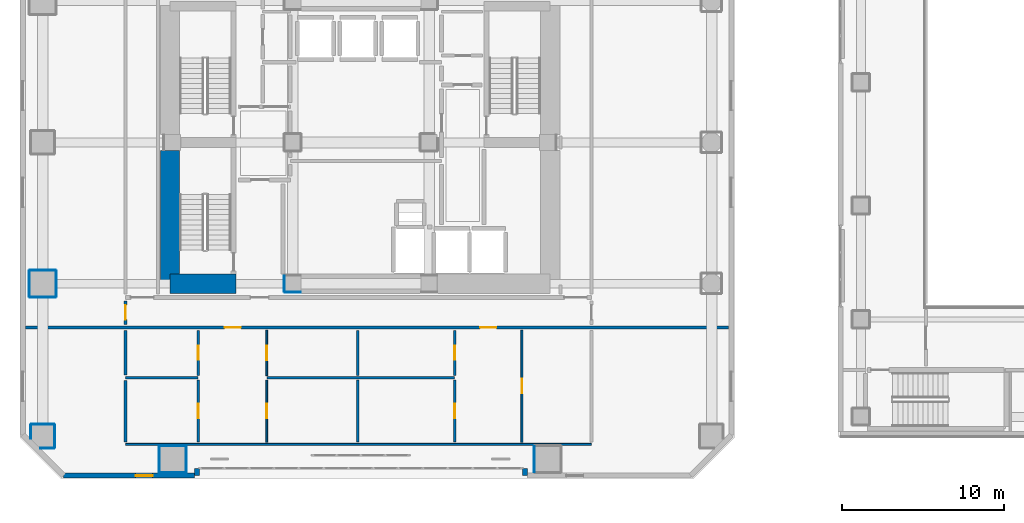
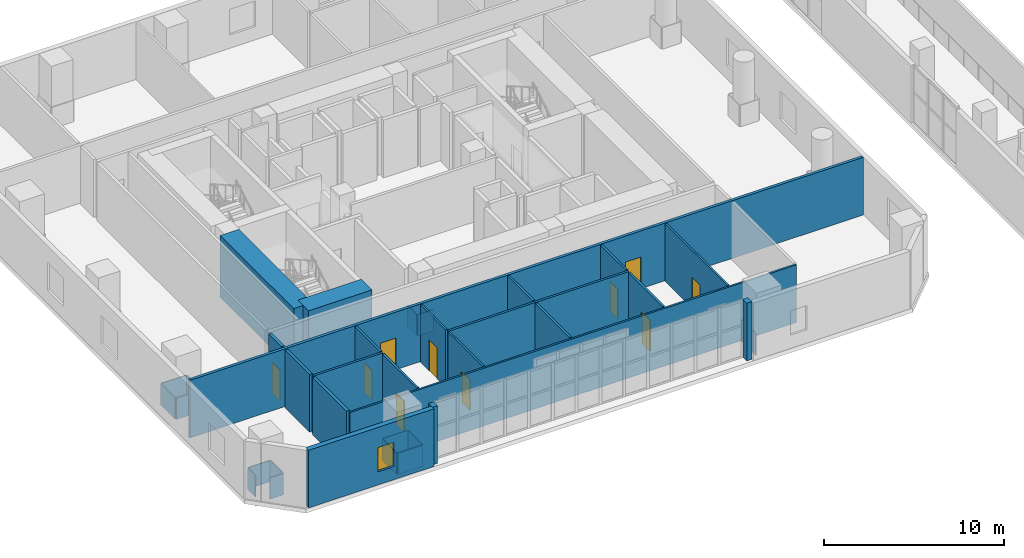
# One storey, part 15 of 24: 36 walls, 10 doors, 1 window, 11 openings.
"""IFC4 building model written with IfcOpenShell, lengths in metres."""

from ifc_helpers import new_model, si_unit, direction, frame, frame_2d, origin, place, context, subcontext, project, spatial, rectangle, extrude, material, layer, layer_set, type_object, element, fill, save


model = new_model("IFC4")

# Units and contexts
model_context = context("Model", 3, precision=1e-05, world=origin(), true_north=direction((0.0, 1.0)))
body_context = subcontext(model_context, "Body", "Model", "MODEL_VIEW")
ifc_project = project(units=[si_unit("LENGTHUNIT", "METRE"), si_unit("AREAUNIT", "SQUARE_METRE"), si_unit("VOLUMEUNIT", "CUBIC_METRE"), si_unit("PLANEANGLEUNIT", "RADIAN"), si_unit("MASSUNIT", "GRAM", prefix="KILO")], contexts=[model_context])

# Site, building, storey
site_placement = place(None, origin())
site = spatial("IfcSite", under=ifc_project, at=site_placement, CompositionType="ELEMENT")
building_placement = place(site_placement, origin())
building = spatial("IfcBuilding", under=site, at=building_placement, Name="Solanera Arch Residences", CompositionType="ELEMENT")
storey_placement = place(building_placement, frame((0.0, 0.0, 5.199951171875)))
storey = spatial("IfcBuildingStorey", under=building, at=storey_placement, Name="L01", CompositionType="ELEMENT", Elevation=5.199951171875)

# Walls
ifc_material_1 = material(Name="Fire-Rated Gypsum Stud Partition", Category="gypsum")
ifc_layer_1 = layer(ifc_material_1, 0.06005859375)
ifc_layer_set_1 = layer_set([ifc_layer_1], Name="Fire-Rated Gypsum Stud Partition")
wall_type_1 = type_object("IfcWallType", Name="Column Acoustic Furring Wall 60", PredefinedType="PARTITIONING", material=ifc_layer_set_1)
wall_1_placement = place(storey_placement, frame((20.300048828125, 21.468017578125, 0.0), z_axis=(0.0, 0.0, 1.0), x_axis=(1.0, 0.0, 0.0)))
element("IfcWall", 1, at=wall_1_placement, inside=storey, type_object=wall_type_1, Name="L01 Column Furring 1S", PredefinedType="PARTITIONING", context=body_context, shape_type="SweptSolid", body=[
    extrude(rectangle(XDim=0.989990234375, YDim=0.06005859375, at=frame_2d((0.4951171875, 0.0))), origin(), (0.0, 0.0, 1.0), 1.449951171875),
])
wall_2_placement = place(storey_placement, frame((20.26806640625, 21.5, 0.0), z_axis=(0.0, 0.0, 1.0), x_axis=(0.0, 1.0, 0.0)))
element("IfcWall", 2, at=wall_2_placement, inside=storey, type_object=wall_type_1, Name="L01 Column Furring 1W", PredefinedType="PARTITIONING", context=body_context, shape_type="SweptSolid", body=[
    extrude(rectangle(XDim=1.0, YDim=0.06005859375, at=frame_2d((0.5, 0.0))), origin(), (0.0, 0.0, 1.0), 1.449951171875),
])
for number, where, z_axis, x_axis, name in (
    (3, (12.60009765625, 10.367919921875, 0.0), (0.0, 0.0, 1.0), (1.0, 0.0, 0.0), "L01 Column Furring 9S"),
    (4, (12.60009765625, 12.031982421875, 0.0), (0.0, 0.0, 1.0), (1.0, 0.0, 0.0), "L01 Column Furring 9N"),
):
    element("IfcWall", number, at=place(storey_placement, frame(where, z_axis=z_axis, x_axis=x_axis)), inside=storey, type_object=wall_type_1, Name=name, PredefinedType="PARTITIONING", context=body_context, shape_type="SweptSolid", body=[
        extrude(rectangle(XDim=1.599853515625, YDim=0.06005859375, at=frame_2d((0.7998046875, 0.0))), origin(), (0.0, 0.0, 1.0), 1.449951171875),
    ])
for number, where, z_axis, x_axis, name in (
    (5, (12.568115234375, 10.39990234375, 0.0), (0.0, 0.0, 1.0), (0.0, 1.0, 0.0), "L01 Column Furring 9W"),
    (6, (14.23193359375, 10.39990234375, 0.0), (0.0, 0.0, 1.0), (0.0, 1.0, 0.0), "L01 Column Furring 9E"),
    (7, (35.66796875, 10.39990234375, 0.0), (0.0, 0.0, 1.0), (0.0, 1.0, 0.0), "L01 Column Furring 10W"),
):
    element("IfcWall", number, at=place(storey_placement, frame(where, z_axis=z_axis, x_axis=x_axis)), inside=storey, type_object=wall_type_1, Name=name, PredefinedType="PARTITIONING", context=body_context, shape_type="SweptSolid", body=[
        extrude(rectangle(XDim=1.60009765625, YDim=0.06005859375, at=frame_2d((0.800048828125, 0.0))), origin(), (0.0, 0.0, 1.0), 1.449951171875),
    ])
for number, where, z_axis, x_axis, name in (
    (8, (4.60009765625, 21.16796875, 0.0), (0.0, 0.0, 1.0), (1.0, 0.0, 0.0), "L01 Column Furring 15S"),
    (9, (4.60009765625, 22.83203125, 0.0), (0.0, 0.0, 1.0), (1.0, 0.0, 0.0), "L01 Column Furring 15N"),
):
    element("IfcWall", number, at=place(storey_placement, frame(where, z_axis=z_axis, x_axis=x_axis)), inside=storey, type_object=wall_type_1, Name=name, PredefinedType="PARTITIONING", context=body_context, shape_type="SweptSolid", body=[
        extrude(rectangle(XDim=1.599853515625, YDim=0.06005859375, at=frame_2d((0.7998046875, 0.0))), origin(), (0.0, 0.0, 1.0), 1.449951171875),
    ])
for number, where, z_axis, x_axis, name in (
    (10, (4.568115234375, 21.199951171875, 0.0), (0.0, 0.0, 1.0), (0.0, 1.0, 0.0), "L01 Column Furring 15W"),
    (11, (6.23193359375, 21.199951171875, 0.0), (0.0, 0.0, 1.0), (0.0, 1.0, 0.0), "L01 Column Furring 15E"),
):
    element("IfcWall", number, at=place(storey_placement, frame(where, z_axis=z_axis, x_axis=x_axis)), inside=storey, type_object=wall_type_1, Name=name, PredefinedType="PARTITIONING", context=body_context, shape_type="SweptSolid", body=[
        extrude(rectangle(XDim=1.60009765625, YDim=0.06005859375, at=frame_2d((0.800048828125, 0.0))), origin(), (0.0, 0.0, 1.0), 1.449951171875),
    ])
wall_3_placement = place(storey_placement, frame((5.239013671875, 11.867919921875, 0.0), z_axis=(0.0, 0.0, 1.0), x_axis=(1.0, 0.0, 0.0)))
element("IfcWall", 12, at=wall_3_placement, inside=storey, type_object=wall_type_1, Name="L01 Column Furring 21S", PredefinedType="PARTITIONING", context=body_context, shape_type="SweptSolid", body=[
    extrude(rectangle(XDim=0.861083984375, YDim=0.06005859375, at=frame_2d((0.4306640625, 0.0))), origin(), (0.0, 0.0, 1.0), 1.449951171875),
])
wall_4_placement = place(storey_placement, frame((4.699951171875, 13.33203125, 0.0), z_axis=(0.0, 0.0, 1.0), x_axis=(1.0, 0.0, 0.0)))
element("IfcWall", 13, at=wall_4_placement, inside=storey, type_object=wall_type_1, Name="L01 Column Furring 21N", PredefinedType="PARTITIONING", context=body_context, shape_type="SweptSolid", body=[
    extrude(rectangle(XDim=1.400146484375, YDim=0.06005859375, at=frame_2d((0.7001953125, 0.0))), origin(), (0.0, 0.0, 1.0), 1.449951171875),
])
wall_5_placement = place(storey_placement, frame((4.66796875, 12.43896484375, 0.0), z_axis=(0.0, 0.0, 1.0), x_axis=(0.0, 1.0, 0.0)))
element("IfcWall", 14, at=wall_5_placement, inside=storey, type_object=wall_type_1, Name="L01 Column Furring 21W", PredefinedType="PARTITIONING", context=body_context, shape_type="SweptSolid", body=[
    extrude(rectangle(XDim=0.861083984375, YDim=0.06005859375, at=frame_2d((0.4306640625, 0.0))), origin(), (0.0, 0.0, 1.0), 1.449951171875),
])
wall_6_placement = place(storey_placement, frame((6.132080078125, 11.89990234375, 0.0), z_axis=(0.0, 0.0, 1.0), x_axis=(0.0, 1.0, 0.0)))
element("IfcWall", 15, at=wall_6_placement, inside=storey, type_object=wall_type_1, Name="L01 Column Furring 21E", PredefinedType="PARTITIONING", context=body_context, shape_type="SweptSolid", body=[
    extrude(rectangle(XDim=1.400146484375, YDim=0.06005859375, at=frame_2d((0.7001953125, 0.0))), origin(), (0.0, 0.0, 1.0), 1.449951171875),
])
ifc_material_2 = material(Name="Concrete C55/67 (f'c = 60 MPa)", Category="concrete")
ifc_layer_2 = layer(ifc_material_2, 1.199951171875)
ifc_layer_set_2 = layer_set([ifc_layer_2], Name="Concrete C55/67 (f'c = 60 MPa)")
wall_type_2 = type_object("IfcWallType", Name="Core Shear Wall CW-1200", PredefinedType="SHEAR", material=ifc_layer_set_2)
wall_7_placement = place(storey_placement, frame((13.239990234375, 22.0, 0.0), z_axis=(0.0, 0.0, 1.0), x_axis=(0.0, 1.0, 0.0)))
element("IfcWall", 16, at=wall_7_placement, inside=storey, type_object=wall_type_2, Name="L01 West Core South Shear Wall", PredefinedType="SHEAR", context=body_context, shape_type="SweptSolid", body=[
    extrude(rectangle(XDim=8.195068359375, YDim=1.199951171875, at=frame_2d((4.09765625, 0.0))), origin(), (0.0, 0.0, 1.0), 4.199951171875),
])
wall_8_placement = place(storey_placement, frame((13.239990234375, 22.0, 0.0), z_axis=(0.0, 0.0, 1.0), x_axis=(1.0, 0.0, 0.0)))
element("IfcWall", 17, at=wall_8_placement, inside=storey, type_object=wall_type_2, Name="L01 South-West Core Shear Wall", PredefinedType="SHEAR", context=body_context, shape_type="SweptSolid", body=[
    extrude(rectangle(XDim=4.080078125, YDim=1.199951171875, at=frame_2d((2.0400390625, 0.0))), origin(), (0.0, 0.0, 1.0), 4.199951171875),
])

# Wall, openings, doors
ifc_material_3 = material(Name="Autoclaved Aerated Concrete Blockwork", Category="masonry")
ifc_layer_3 = layer(ifc_material_3, 0.179931640625)
ifc_layer_set_3 = layer_set([ifc_layer_3], Name="Autoclaved Aerated Concrete Blockwork")
wall_type_3 = type_object("IfcWallType", Name="Corridor Fire Partition 180", PredefinedType="PARTITIONING", material=ifc_layer_set_3)
wall_9_placement = place(storey_placement, frame((4.35205078125, 19.300048828125, 0.0), z_axis=(0.0, 0.0, 1.0), x_axis=(1.0, 0.0, 0.0)))
wall_9 = element("IfcWall", 18, at=wall_9_placement, inside=storey, type_object=wall_type_3, Name="L01 Interior Partition H9", PredefinedType="PARTITIONING", context=body_context, shape_type="SweptSolid", body=[
    extrude(rectangle(XDim=43.2958984375, YDim=0.179931640625, at=frame_2d((21.64794921875, 0.0))), origin(), (0.0, 0.0, 1.0), 3.920166015625),
])
opening_1_placement = place(wall_9_placement, frame((12.248046875, 0.0, 0.0)))
opening_1 = element("IfcOpeningElement", 19, at=opening_1_placement, cuts=wall_9, Name="Opening DI-01", PredefinedType="OPENING", context=body_context, shape_type="SweptSolid", body=[
    extrude(rectangle(XDim=1.0, YDim=2.14990234375, at=frame_2d((0.5, 1.074951171875))), frame((0.0, 0.10009765625, 0.0), z_axis=(0.0, -1.0, 0.0), x_axis=(1.0, 0.0, 0.0)), (0.0, 0.0, 1.0), 0.1999),
])
opening_2_placement = place(wall_9_placement, frame((27.998046875, 0.0, 0.0)))
opening_2 = element("IfcOpeningElement", 20, at=opening_2_placement, cuts=wall_9, Name="Opening DI-01", PredefinedType="OPENING", context=body_context, shape_type="SweptSolid", body=[
    extrude(rectangle(XDim=1.0, YDim=2.14990234375, at=frame_2d((0.5, 1.074951171875))), frame((0.0, 0.10009765625, 0.0), z_axis=(0.0, -1.0, 0.0), x_axis=(1.0, 0.0, 0.0)), (0.0, 0.0, 1.0), 0.1999),
])
ifc_material_4 = material(Name="Fire-Rated Architectural Hardwood", Category="wood")
door_type_1 = type_object("IfcDoorType", Name="Unit Entrance Fire Door DI-01", OperationType="NOTDEFINED", PredefinedType="DOOR", material=ifc_material_4)
door_1_placement = place(opening_1_placement, origin())
door_1 = element("IfcDoor", 21, at=door_1_placement, inside=storey, type_object=door_type_1, Name="DR-L01-IN-030", OperationType="SINGLE_SWING_LEFT", OverallHeight=2.14990234375, OverallWidth=1.0, PredefinedType="DOOR", context=body_context, shape_type="SweptSolid", body=[
    extrude(rectangle(XDim=1.0, YDim=2.14990234375, at=frame_2d((0.5, 1.074951171875))), frame((0.0, 0.02490234375, 0.0), z_axis=(0.0, -1.0, 0.0), x_axis=(1.0, 0.0, 0.0)), (0.0, 0.0, 1.0), 0.050048828125),
])
fill(opening_1, door_1)
door_2_placement = place(opening_2_placement, origin())
door_2 = element("IfcDoor", 22, at=door_2_placement, inside=storey, type_object=door_type_1, Name="DR-L01-IN-035", OperationType="SINGLE_SWING_RIGHT", OverallHeight=2.14990234375, OverallWidth=1.0, PredefinedType="DOOR", context=body_context, shape_type="SweptSolid", body=[
    extrude(rectangle(XDim=1.0, YDim=2.14990234375, at=frame_2d((0.5, 1.074951171875))), frame((0.0, 0.02490234375, 0.0), z_axis=(0.0, -1.0, 0.0), x_axis=(1.0, 0.0, 0.0)), (0.0, 0.0, 1.0), 0.050048828125),
])
fill(opening_2, door_2)

# Walls
wall_10_placement = place(storey_placement, frame((10.5, 12.258056640625, 0.0), z_axis=(0.0, 0.0, 1.0), x_axis=(0.0, 1.0, 0.0)))
element("IfcWall", 23, at=wall_10_placement, inside=storey, type_object=wall_type_3, Name="L01 Interior Partition V7 1", PredefinedType="PARTITIONING", context=body_context, shape_type="SweptSolid", body=[
    extrude(rectangle(XDim=3.77783203125, YDim=0.179931640625, at=frame_2d((1.888916015625, 0.0))), origin(), (0.0, 0.0, 1.0), 3.920166015625),
])
wall_11_placement = place(storey_placement, frame((10.5, 16.3720703125, 0.0), z_axis=(0.0, 0.0, 1.0), x_axis=(0.0, 1.0, 0.0)))
element("IfcWall", 24, at=wall_11_placement, inside=storey, type_object=wall_type_3, Name="L01 Interior Partition V7 2", PredefinedType="PARTITIONING", context=body_context, shape_type="SweptSolid", body=[
    extrude(rectangle(XDim=2.739990234375, YDim=0.179931640625, at=frame_2d((1.3701171875, 0.0))), origin(), (0.0, 0.0, 1.0), 3.920166015625),
])

# Wall, opening, door
wall_12_placement = place(storey_placement, frame((10.5, 19.488037109375, 0.0), z_axis=(0.0, 0.0, 1.0), x_axis=(0.0, 1.0, 0.0)))
wall_12 = element("IfcWall", 25, at=wall_12_placement, inside=storey, type_object=wall_type_3, Name="L01 Interior Partition V7 3", PredefinedType="PARTITIONING", context=body_context, shape_type="SweptSolid", body=[
    extrude(rectangle(XDim=1.44384765625, YDim=0.179931640625, at=frame_2d((0.721923828125, 0.0))), origin(), (0.0, 0.0, 1.0), 3.920166015625),
])
opening_3_placement = place(wall_12_placement, frame((0.301025390625, 0.0, 0.0)))
opening_3 = element("IfcOpeningElement", 26, at=opening_3_placement, cuts=wall_12, Name="Opening DI-02", PredefinedType="OPENING", context=body_context, shape_type="SweptSolid", body=[
    extrude(rectangle(XDim=0.89990234375, YDim=2.10009765625, at=frame_2d((0.449951171875, 1.050048828125))), frame((0.0, 0.10009765625, 0.0), z_axis=(0.0, -1.0, 0.0), x_axis=(1.0, 0.0, 0.0)), (0.0, 0.0, 1.0), 0.1999),
])
ifc_material_5 = material(Name="Fire-Rated Architectural Hardwood", Category="wood")
door_type_2 = type_object("IfcDoorType", Name="Suite Room Swing Door DI-02", OperationType="NOTDEFINED", PredefinedType="DOOR", material=ifc_material_5)
door_3_placement = place(opening_3_placement, origin())
door_3 = element("IfcDoor", 27, at=door_3_placement, inside=storey, type_object=door_type_2, Name="DR-L01-IN-026", OperationType="SINGLE_SWING_LEFT", OverallHeight=2.10009765625, OverallWidth=0.89990234375, PredefinedType="DOOR", context=body_context, shape_type="SweptSolid", body=[
    extrude(rectangle(XDim=0.89990234375, YDim=2.10009765625, at=frame_2d((0.449951171875, 1.050048828125))), frame((0.0, 0.02490234375, 0.0), z_axis=(0.0, -1.0, 0.0), x_axis=(1.0, 0.0, 0.0)), (0.0, 0.0, 1.0), 0.050048828125),
])
fill(opening_3, door_3)

# Walls
ifc_material_6 = material(Name="Precast Concrete C35/45", Category="concrete")
ifc_layer_4 = layer(ifc_material_6, 0.320068359375)
ifc_layer_set_4 = layer_set([ifc_layer_4], Name="Precast Concrete C35/45")
wall_type_4 = type_object("IfcWallType", Name="Exterior Wall Precast Masonry-Frame 320", PredefinedType="STANDARD", material=ifc_layer_set_4)
for number, where, z_axis, x_axis, name in (
    (28, (35.10009765625, 10.179931640625, 0.0), (0.0, 0.0, 1.0), (0.0, 1.0, 0.0), "L01 Podium Arch East Reveal Jamb"),
    (29, (14.89990234375, 10.6298828125, 0.0), (0.0, 0.0, 1.0), (0.0, -1.0, 0.0), "L01 Podium Arch West Reveal Jamb"),
):
    element("IfcWall", number, at=place(storey_placement, frame(where, z_axis=z_axis, x_axis=x_axis)), inside=storey, type_object=wall_type_4, Name=name, PredefinedType="STANDARD", context=body_context, shape_type="SweptSolid", body=[
        extrude(rectangle(XDim=0.449951171875, YDim=0.320068359375, at=frame_2d((0.22509765625, 0.0))), origin(), (0.0, 0.0, 1.0), 3.920166015625),
    ])

# Wall, opening, window
wall_13_placement = place(storey_placement, frame((14.739990234375, 10.179931640625, 0.0), z_axis=(0.0, 0.0, 1.0), x_axis=(-1.0, 0.0, 0.0)))
wall_13 = element("IfcWall", 30, at=wall_13_placement, inside=storey, type_object=wall_type_4, Name="L01 Podium South-West Precast Pier Wall", PredefinedType="STANDARD", context=body_context, shape_type="SweptSolid", body=[
    extrude(rectangle(XDim=8.06005859375, YDim=0.320068359375, at=frame_2d((4.030029296875, 0.0))), origin(), (0.0, 0.0, 1.0), 3.920166015625),
])
opening_4_placement = place(wall_13_placement, frame((2.56494140625, 0.0, 0.89990234375)))
opening_4 = element("IfcOpeningElement", 31, at=opening_4_placement, cuts=wall_13, Name="Opening W-07", PredefinedType="OPENING", context=body_context, shape_type="SweptSolid", body=[
    extrude(rectangle(XDim=1.050048828125, YDim=1.64990234375, at=frame_2d((0.52490234375, 0.824951171875))), frame((0.0, 0.169921875, 0.0), z_axis=(0.0, -1.0, 0.0), x_axis=(1.0, 0.0, 0.0)), (0.0, 0.0, 1.0), 0.3401),
])
ifc_material_7 = material(Name="Double Glazed Low-E Laminated Glass", Category="glass")
window_type = type_object("IfcWindowType", Name="Punched Window W-07", PartitioningType="SINGLE_PANEL", PredefinedType="WINDOW", material=ifc_material_7)
window_placement = place(opening_4_placement, origin())
window = element("IfcWindow", 32, at=window_placement, inside=storey, type_object=window_type, Name="L01 Podium South-West Bedroom Window", OverallHeight=1.64990234375, OverallWidth=1.050048828125, PartitioningType="SINGLE_PANEL", PredefinedType="WINDOW", context=body_context, shape_type="SweptSolid", body=[
    extrude(rectangle(XDim=1.050048828125, YDim=1.64990234375, at=frame_2d((0.52490234375, 0.824951171875))), frame((0.0, 0.030029296875, 0.0), z_axis=(0.0, -1.0, 0.0), x_axis=(1.0, 0.0, 0.0)), (0.0, 0.0, 1.0), 0.06005859375),
])
fill(opening_4, window)

# Wall
ifc_material_8 = material(Name="Fire-Rated Gypsum Stud Partition", Category="gypsum")
ifc_layer_5 = layer(ifc_material_8, 0.1201171875)
ifc_layer_set_5 = layer_set([ifc_layer_5], Name="Fire-Rated Gypsum Stud Partition")
wall_type_5 = type_object("IfcWallType", Name="Unit Drywall Partition 120", PredefinedType="PARTITIONING", material=ifc_layer_set_5)
wall_14_placement = place(storey_placement, frame((10.5, 12.10009765625, 0.0), z_axis=(0.0, 0.0, 1.0), x_axis=(1.0, 0.0, 0.0)))
element("IfcWall", 33, at=wall_14_placement, inside=storey, type_object=wall_type_5, Name="L01 Interior Partition H23", PredefinedType="PARTITIONING", context=body_context, shape_type="SweptSolid", body=[
    extrude(rectangle(XDim=28.699951171875, YDim=0.1201171875, at=frame_2d((14.35009765625, 0.0))), origin(), (0.0, 0.0, 1.0), 3.920166015625),
])

# Wall, opening, door
wall_15_placement = place(storey_placement, frame((19.199951171875, 12.22802734375, 0.0), z_axis=(0.0, 0.0, 1.0), x_axis=(0.0, 1.0, 0.0)))
wall_15 = element("IfcWall", 34, at=wall_15_placement, inside=storey, type_object=wall_type_5, Name="L01 Interior Partition V26 1", PredefinedType="PARTITIONING", context=body_context, shape_type="SweptSolid", body=[
    extrude(rectangle(XDim=3.841064453125, YDim=0.1201171875, at=frame_2d((1.92041015625, 0.0))), origin(), (0.0, 0.0, 1.0), 3.920166015625),
])
opening_5_placement = place(wall_15_placement, frame((1.487060546875, 0.0, 0.0)))
opening_5 = element("IfcOpeningElement", 35, at=opening_5_placement, cuts=wall_15, Name="Opening DI-03", PredefinedType="OPENING", context=body_context, shape_type="SweptSolid", body=[
    extrude(rectangle(XDim=0.89990234375, YDim=2.10009765625, at=frame_2d((0.449951171875, 1.050048828125))), frame((0.0, 0.070068359375, 0.0), z_axis=(0.0, -1.0, 0.0), x_axis=(1.0, 0.0, 0.0)), (0.0, 0.0, 1.0), 0.1401),
])
ifc_material_9 = material(Name="Fire-Rated Architectural Hardwood", Category="wood")
door_type_3 = type_object("IfcDoorType", Name="Bedroom Swing Door DI-03", OperationType="NOTDEFINED", PredefinedType="DOOR", material=ifc_material_9)
door_4_placement = place(opening_5_placement, origin())
door_4 = element("IfcDoor", 36, at=door_4_placement, inside=storey, type_object=door_type_3, Name="DR-L01-IN-034", OperationType="SINGLE_SWING_LEFT", OverallHeight=2.10009765625, OverallWidth=0.89990234375, PredefinedType="DOOR", context=body_context, shape_type="SweptSolid", body=[
    extrude(rectangle(XDim=0.89990234375, YDim=2.10009765625, at=frame_2d((0.449951171875, 1.050048828125))), frame((0.0, 0.02490234375, 0.0), z_axis=(0.0, -1.0, 0.0), x_axis=(1.0, 0.0, 0.0)), (0.0, 0.0, 1.0), 0.050048828125),
])
fill(opening_5, door_4)

wall_16_placement = place(storey_placement, frame((19.199951171875, 16.339111328125, 0.0), z_axis=(0.0, 0.0, 1.0), x_axis=(0.0, 1.0, 0.0)))
wall_16 = element("IfcWall", 37, at=wall_16_placement, inside=storey, type_object=wall_type_5, Name="L01 Interior Partition V26 2", PredefinedType="PARTITIONING", context=body_context, shape_type="SweptSolid", body=[
    extrude(rectangle(XDim=2.802978515625, YDim=0.1201171875, at=frame_2d((1.4013671875, 0.0))), origin(), (0.0, 0.0, 1.0), 3.920166015625),
])
opening_6_placement = place(wall_16_placement, frame((0.949951171875, 0.0, 0.0)))
opening_6 = element("IfcOpeningElement", 38, at=opening_6_placement, cuts=wall_16, Name="Opening DI-02", PredefinedType="OPENING", context=body_context, shape_type="SweptSolid", body=[
    extrude(rectangle(XDim=0.89990234375, YDim=2.10009765625, at=frame_2d((0.449951171875, 1.050048828125))), frame((0.0, 0.070068359375, 0.0), z_axis=(0.0, -1.0, 0.0), x_axis=(1.0, 0.0, 0.0)), (0.0, 0.0, 1.0), 0.1401),
])
door_5_placement = place(opening_6_placement, origin())
door_5 = element("IfcDoor", 39, at=door_5_placement, inside=storey, type_object=door_type_2, Name="DR-L01-IN-033", OperationType="SINGLE_SWING_RIGHT", OverallHeight=2.10009765625, OverallWidth=0.89990234375, PredefinedType="DOOR", context=body_context, shape_type="SweptSolid", body=[
    extrude(rectangle(XDim=0.89990234375, YDim=2.10009765625, at=frame_2d((0.449951171875, 1.050048828125))), frame((0.0, 0.02490234375, 0.0), z_axis=(0.0, -1.0, 0.0), x_axis=(1.0, 0.0, 0.0)), (0.0, 0.0, 1.0), 0.050048828125),
])
fill(opening_6, door_5)

wall_17_placement = place(storey_placement, frame((34.919921875, 12.22802734375, 0.0), z_axis=(0.0, 0.0, 1.0), x_axis=(0.0, 1.0, 0.0)))
wall_17 = element("IfcWall", 40, at=wall_17_placement, inside=storey, type_object=wall_type_5, Name="L01 Interior Partition V28", PredefinedType="PARTITIONING", context=body_context, shape_type="SweptSolid", body=[
    extrude(rectangle(XDim=6.9140625, YDim=0.1201171875, at=frame_2d((3.45703125, 0.0))), origin(), (0.0, 0.0, 1.0), 3.920166015625),
])
opening_7_placement = place(wall_17_placement, frame((3.02197265625, 0.0, 0.0)))
opening_7 = element("IfcOpeningElement", 41, at=opening_7_placement, cuts=wall_17, Name="Opening DI-02", PredefinedType="OPENING", context=body_context, shape_type="SweptSolid", body=[
    extrude(rectangle(XDim=0.89990234375, YDim=2.10009765625, at=frame_2d((0.449951171875, 1.050048828125))), frame((0.0, 0.070068359375, 0.0), z_axis=(0.0, -1.0, 0.0), x_axis=(1.0, 0.0, 0.0)), (0.0, 0.0, 1.0), 0.1401),
])
door_6_placement = place(opening_7_placement, origin())
door_6 = element("IfcDoor", 42, at=door_6_placement, inside=storey, type_object=door_type_2, Name="DR-L01-IN-038", OperationType="SINGLE_SWING_LEFT", OverallHeight=2.10009765625, OverallWidth=0.89990234375, PredefinedType="DOOR", context=body_context, shape_type="SweptSolid", body=[
    extrude(rectangle(XDim=0.89990234375, YDim=2.10009765625, at=frame_2d((0.449951171875, 1.050048828125))), frame((0.0, 0.02490234375, 0.0), z_axis=(0.0, -1.0, 0.0), x_axis=(1.0, 0.0, 0.0)), (0.0, 0.0, 1.0), 0.050048828125),
])
fill(opening_7, door_6)

# Walls
ifc_material_10 = material(Name="Autoclaved Aerated Concrete Blockwork", Category="masonry")
ifc_layer_6 = layer(ifc_material_10, 0.139892578125)
ifc_layer_set_6 = layer_set([ifc_layer_6], Name="Autoclaved Aerated Concrete Blockwork")
wall_type_6 = type_object("IfcWallType", Name="Wet-Room Partition 140", PredefinedType="PARTITIONING", material=ifc_layer_set_6)
wall_18_placement = place(storey_placement, frame((10.5, 16.2041015625, 0.0), z_axis=(0.0, 0.0, 1.0), x_axis=(1.0, 0.0, 0.0)))
element("IfcWall", 43, at=wall_18_placement, inside=storey, type_object=wall_type_6, Name="L01 Interior Partition H17", PredefinedType="PARTITIONING", context=body_context, shape_type="SweptSolid", body=[
    extrude(rectangle(XDim=4.47998046875, YDim=0.139892578125, at=frame_2d((2.239990234375, 0.0))), origin(), (0.0, 0.0, 1.0), 3.920166015625),
])
wall_19_placement = place(storey_placement, frame((19.219970703125, 16.2041015625, 0.0), z_axis=(0.0, 0.0, 1.0), x_axis=(1.0, 0.0, 0.0)))
element("IfcWall", 44, at=wall_19_placement, inside=storey, type_object=wall_type_6, Name="L01 Interior Partition H18", PredefinedType="PARTITIONING", context=body_context, shape_type="SweptSolid", body=[
    extrude(rectangle(XDim=11.56005859375, YDim=0.139892578125, at=frame_2d((5.780029296875, 0.0))), origin(), (0.0, 0.0, 1.0), 3.920166015625),
])

# Wall, opening, door
wall_20_placement = place(storey_placement, frame((14.97998046875, 12.238037109375, 0.0), z_axis=(0.0, 0.0, 1.0), x_axis=(0.0, 1.0, 0.0)))
wall_20 = element("IfcWall", 45, at=wall_20_placement, inside=storey, type_object=wall_type_6, Name="L01 Interior Partition V17 1", PredefinedType="PARTITIONING", context=body_context, shape_type="SweptSolid", body=[
    extrude(rectangle(XDim=3.81787109375, YDim=0.139892578125, at=frame_2d((1.908935546875, 0.0))), origin(), (0.0, 0.0, 1.0), 3.920166015625),
])
opening_8_placement = place(wall_20_placement, frame((1.47705078125, 0.0, 0.0)))
opening_8 = element("IfcOpeningElement", 46, at=opening_8_placement, cuts=wall_20, Name="Opening DI-03", PredefinedType="OPENING", context=body_context, shape_type="SweptSolid", body=[
    extrude(rectangle(XDim=0.89990234375, YDim=2.10009765625, at=frame_2d((0.449951171875, 1.050048828125))), frame((0.0, 0.079833984375, 0.0), z_axis=(0.0, -1.0, 0.0), x_axis=(1.0, 0.0, 0.0)), (0.0, 0.0, 1.0), 0.1599),
])
door_7_placement = place(opening_8_placement, origin())
door_7 = element("IfcDoor", 47, at=door_7_placement, inside=storey, type_object=door_type_3, Name="DR-L01-IN-032", OperationType="SINGLE_SWING_LEFT", OverallHeight=2.10009765625, OverallWidth=0.89990234375, PredefinedType="DOOR", context=body_context, shape_type="SweptSolid", body=[
    extrude(rectangle(XDim=0.89990234375, YDim=2.10009765625, at=frame_2d((0.449951171875, 1.050048828125))), frame((0.0, 0.02490234375, 0.0), z_axis=(0.0, -1.0, 0.0), x_axis=(1.0, 0.0, 0.0)), (0.0, 0.0, 1.0), 0.050048828125),
])
fill(opening_8, door_7)

wall_21_placement = place(storey_placement, frame((14.97998046875, 16.35205078125, 0.0), z_axis=(0.0, 0.0, 1.0), x_axis=(0.0, 1.0, 0.0)))
wall_21 = element("IfcWall", 48, at=wall_21_placement, inside=storey, type_object=wall_type_6, Name="L01 Interior Partition V17 2", PredefinedType="PARTITIONING", context=body_context, shape_type="SweptSolid", body=[
    extrude(rectangle(XDim=2.780029296875, YDim=0.139892578125, at=frame_2d((1.39013671875, 0.0))), origin(), (0.0, 0.0, 1.0), 3.920166015625),
])
opening_9_placement = place(wall_21_placement, frame((0.95703125, 0.0, 0.0)))
opening_9 = element("IfcOpeningElement", 49, at=opening_9_placement, cuts=wall_21, Name="Opening DI-05", PredefinedType="OPENING", context=body_context, shape_type="SweptSolid", body=[
    extrude(rectangle(XDim=0.860107421875, YDim=2.02001953125, at=frame_2d((0.43017578125, 1.010009765625))), frame((0.0, 0.079833984375, 0.0), z_axis=(0.0, -1.0, 0.0), x_axis=(1.0, 0.0, 0.0)), (0.0, 0.0, 1.0), 0.1599),
])
ifc_material_11 = material(Name="Fire-Rated Architectural Hardwood", Category="wood")
door_type_4 = type_object("IfcDoorType", Name="Bathroom Swing Door DI-05", OperationType="NOTDEFINED", PredefinedType="DOOR", material=ifc_material_11)
door_8_placement = place(opening_9_placement, origin())
door_8 = element("IfcDoor", 50, at=door_8_placement, inside=storey, type_object=door_type_4, Name="DR-L01-IN-031", OperationType="SINGLE_SWING_RIGHT", OverallHeight=2.02001953125, OverallWidth=0.860107421875, PredefinedType="DOOR", context=body_context, shape_type="SweptSolid", body=[
    extrude(rectangle(XDim=0.860107421875, YDim=2.02001953125, at=frame_2d((0.43017578125, 1.010009765625))), frame((0.0, 0.02490234375, 0.0), z_axis=(0.0, -1.0, 0.0), x_axis=(1.0, 0.0, 0.0)), (0.0, 0.0, 1.0), 0.050048828125),
])
fill(opening_9, door_8)

# Walls
wall_22_placement = place(storey_placement, frame((24.800048828125, 12.238037109375, 0.0), z_axis=(0.0, 0.0, 1.0), x_axis=(0.0, 1.0, 0.0)))
element("IfcWall", 51, at=wall_22_placement, inside=storey, type_object=wall_type_6, Name="L01 Interior Partition V18 1", PredefinedType="PARTITIONING", context=body_context, shape_type="SweptSolid", body=[
    extrude(rectangle(XDim=3.81787109375, YDim=0.139892578125, at=frame_2d((1.908935546875, 0.0))), origin(), (0.0, 0.0, 1.0), 3.920166015625),
])
wall_23_placement = place(storey_placement, frame((24.800048828125, 16.35205078125, 0.0), z_axis=(0.0, 0.0, 1.0), x_axis=(0.0, 1.0, 0.0)))
element("IfcWall", 52, at=wall_23_placement, inside=storey, type_object=wall_type_6, Name="L01 Interior Partition V18 2", PredefinedType="PARTITIONING", context=body_context, shape_type="SweptSolid", body=[
    extrude(rectangle(XDim=2.780029296875, YDim=0.139892578125, at=frame_2d((1.39013671875, 0.0))), origin(), (0.0, 0.0, 1.0), 3.920166015625),
])

# Wall, opening, door
wall_24_placement = place(storey_placement, frame((30.780029296875, 12.238037109375, 0.0), z_axis=(0.0, 0.0, 1.0), x_axis=(0.0, 1.0, 0.0)))
wall_24 = element("IfcWall", 53, at=wall_24_placement, inside=storey, type_object=wall_type_6, Name="L01 Interior Partition V20 1", PredefinedType="PARTITIONING", context=body_context, shape_type="SweptSolid", body=[
    extrude(rectangle(XDim=3.81787109375, YDim=0.139892578125, at=frame_2d((1.908935546875, 0.0))), origin(), (0.0, 0.0, 1.0), 3.920166015625),
])
opening_10_placement = place(wall_24_placement, frame((1.47705078125, 0.0, 0.0)))
opening_10 = element("IfcOpeningElement", 54, at=opening_10_placement, cuts=wall_24, Name="Opening DI-03", PredefinedType="OPENING", context=body_context, shape_type="SweptSolid", body=[
    extrude(rectangle(XDim=0.89990234375, YDim=2.10009765625, at=frame_2d((0.449951171875, 1.050048828125))), frame((0.0, 0.079833984375, 0.0), z_axis=(0.0, -1.0, 0.0), x_axis=(1.0, 0.0, 0.0)), (0.0, 0.0, 1.0), 0.1599),
])
door_9_placement = place(opening_10_placement, origin())
door_9 = element("IfcDoor", 55, at=door_9_placement, inside=storey, type_object=door_type_3, Name="DR-L01-IN-037", OperationType="SINGLE_SWING_RIGHT", OverallHeight=2.10009765625, OverallWidth=0.89990234375, PredefinedType="DOOR", context=body_context, shape_type="SweptSolid", body=[
    extrude(rectangle(XDim=0.89990234375, YDim=2.10009765625, at=frame_2d((0.449951171875, 1.050048828125))), frame((0.0, 0.02490234375, 0.0), z_axis=(0.0, -1.0, 0.0), x_axis=(1.0, 0.0, 0.0)), (0.0, 0.0, 1.0), 0.050048828125),
])
fill(opening_10, door_9)

wall_25_placement = place(storey_placement, frame((30.780029296875, 16.35205078125, 0.0), z_axis=(0.0, 0.0, 1.0), x_axis=(0.0, 1.0, 0.0)))
wall_25 = element("IfcWall", 56, at=wall_25_placement, inside=storey, type_object=wall_type_6, Name="L01 Interior Partition V20 2", PredefinedType="PARTITIONING", context=body_context, shape_type="SweptSolid", body=[
    extrude(rectangle(XDim=2.780029296875, YDim=0.139892578125, at=frame_2d((1.39013671875, 0.0))), origin(), (0.0, 0.0, 1.0), 3.920166015625),
])
opening_11_placement = place(wall_25_placement, frame((0.95703125, 0.0, 0.0)))
opening_11 = element("IfcOpeningElement", 57, at=opening_11_placement, cuts=wall_25, Name="Opening DI-05", PredefinedType="OPENING", context=body_context, shape_type="SweptSolid", body=[
    extrude(rectangle(XDim=0.860107421875, YDim=2.02001953125, at=frame_2d((0.43017578125, 1.010009765625))), frame((0.0, 0.079833984375, 0.0), z_axis=(0.0, -1.0, 0.0), x_axis=(1.0, 0.0, 0.0)), (0.0, 0.0, 1.0), 0.1599),
])
door_10_placement = place(opening_11_placement, origin())
door_10 = element("IfcDoor", 58, at=door_10_placement, inside=storey, type_object=door_type_4, Name="DR-L01-IN-036", OperationType="SINGLE_SWING_LEFT", OverallHeight=2.02001953125, OverallWidth=0.860107421875, PredefinedType="DOOR", context=body_context, shape_type="SweptSolid", body=[
    extrude(rectangle(XDim=0.860107421875, YDim=2.02001953125, at=frame_2d((0.43017578125, 1.010009765625))), frame((0.0, 0.02490234375, 0.0), z_axis=(0.0, -1.0, 0.0), x_axis=(1.0, 0.0, 0.0)), (0.0, 0.0, 1.0), 0.050048828125),
])
fill(opening_11, door_10)

save(model, "model.ifc")
